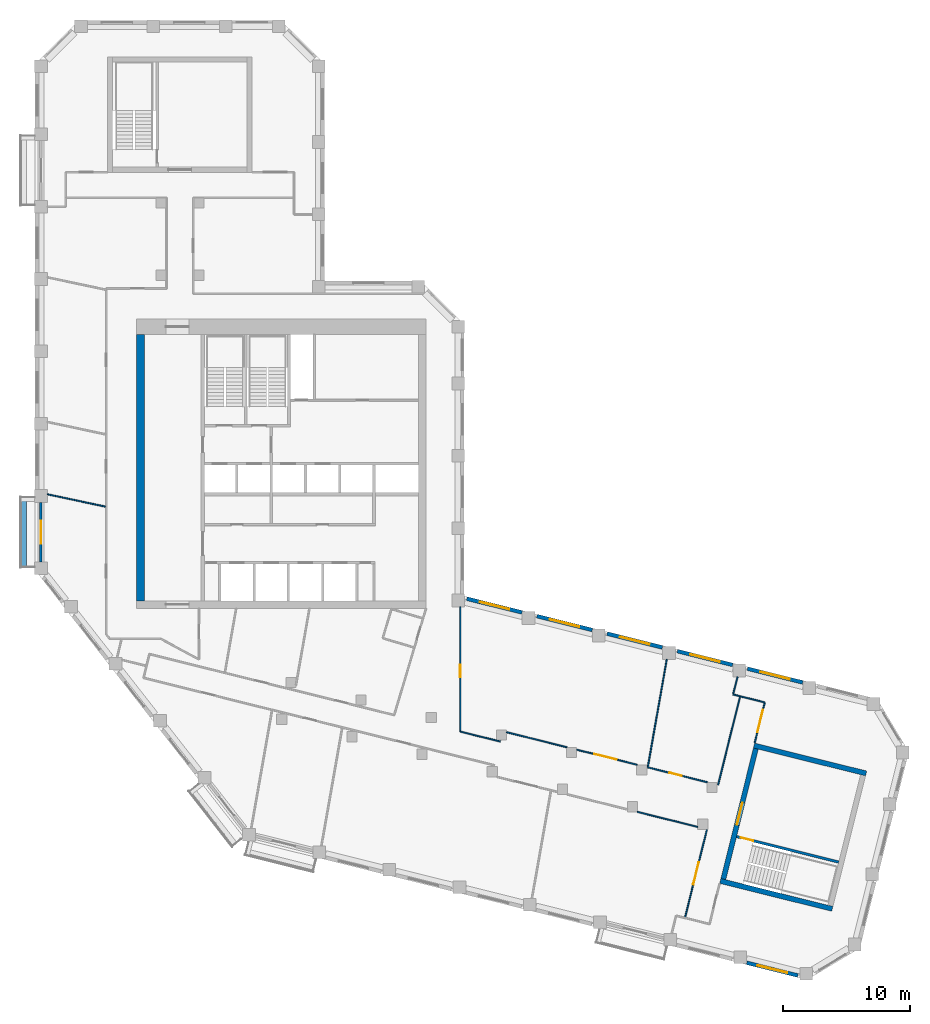
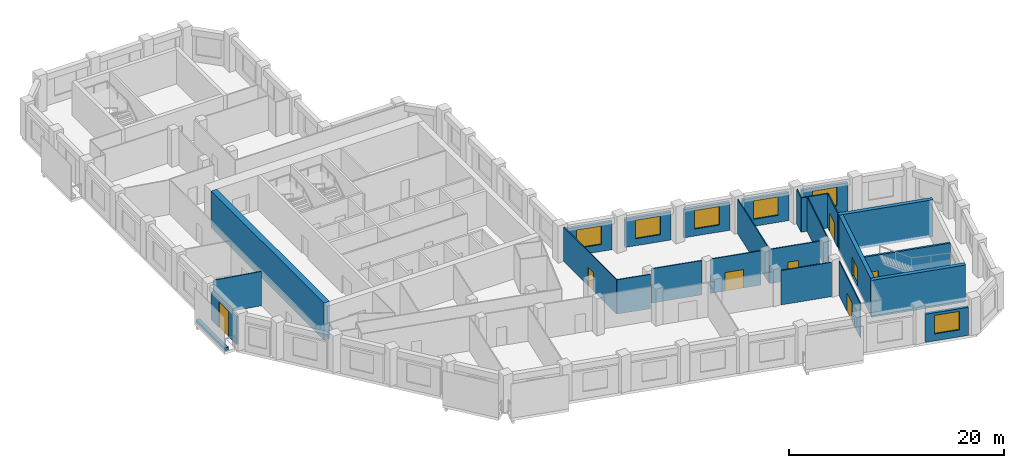
# One storey, part 4 of 9: 27 walls, 8 doors, 6 windows, 14 openings.
"""IFC4 building model written with IfcOpenShell, lengths in metres."""

from ifc_helpers import new_model, si_unit, direction, frame, frame_2d, origin, place, context, subcontext, project, spatial, rectangle, extrude, material, layer, layer_set, type_object, element, fill, save


model = new_model("IFC4")

# Units and contexts
model_context = context("Model", 3, precision=1e-05, world=origin(), true_north=direction((0.0, 1.0)))
body_context = subcontext(model_context, "Body", "Model", "MODEL_VIEW")
ifc_project = project(units=[si_unit("LENGTHUNIT", "METRE"), si_unit("AREAUNIT", "SQUARE_METRE"), si_unit("VOLUMEUNIT", "CUBIC_METRE"), si_unit("PLANEANGLEUNIT", "RADIAN"), si_unit("MASSUNIT", "GRAM", prefix="KILO")], contexts=[model_context])

# Site, building, storey
site_placement = place(None, origin())
site = spatial("IfcSite", under=ifc_project, at=site_placement, CompositionType="ELEMENT")
building_placement = place(site_placement, origin())
building = spatial("IfcBuilding", under=site, at=building_placement, Name="Meshkara Civic Tower", CompositionType="ELEMENT")
storey_placement = place(building_placement, frame((0.0, 0.0, 298.199951171875)))
storey = spatial("IfcBuildingStorey", under=building, at=storey_placement, Name="L68", CompositionType="ELEMENT", Elevation=298.199951171875)

# Wall
ifc_material_1 = material(Name="Concrete C60", Category="concrete")
ifc_layer_1 = layer(ifc_material_1, 0.60009765625)
ifc_layer_set_1 = layer_set([ifc_layer_1], Name="Core ring wall 600 C60")
wall_type_1 = type_object("IfcWallType", Name="Core ring wall 600 C60", PredefinedType="SHEAR", material=ifc_layer_set_1)
wall_1_placement = place(storey_placement, frame((8.300048828125, 14.699951171875, -0.300048828125), z_axis=(0.0, 0.0, 1.0), x_axis=(0.0, 1.0, 0.0)))
element("IfcWall", 1, at=wall_1_placement, inside=storey, type_object=wall_type_1, Name="L68-C003", PredefinedType="SHEAR", context=body_context, shape_type="SweptSolid", body=[
    extrude(rectangle(XDim=21.0, YDim=0.60009765625, at=frame_2d((10.5, 0.0))), origin(), (0.0, 0.0, 1.0), 4.2001953125),
])

# Wall, opening, door
ifc_material_2 = material(Name="Corridor wall 100")
ifc_layer_2 = layer(ifc_material_2, 0.10009765625)
ifc_layer_set_2 = layer_set([ifc_layer_2], Name="Corridor wall 100")
wall_type_2 = type_object("IfcWallType", Name="Corridor wall 100", PredefinedType="PARTITIONING", material=ifc_layer_set_2)
wall_2_placement = place(storey_placement, frame((33.5, 4.39111328125, 0.0), z_axis=(0.0, 0.0, 1.0), x_axis=(0.0, 1.0, 0.0)))
wall_2 = element("IfcWall", 2, at=wall_2_placement, inside=storey, type_object=wall_type_2, Name="L68-W020", PredefinedType="PARTITIONING", context=body_context, shape_type="SweptSolid", body=[
    extrude(rectangle(XDim=9.827880859375, YDim=0.10009765625, at=frame_2d((4.9140625, 0.0))), origin(), (0.0, 0.0, 1.0), 3.900146484375),
])
opening_1_placement = place(wall_2_placement, frame((4.280029296875, 0.0, 0.0)))
opening_1 = element("IfcOpeningElement", 3, at=opening_1_placement, cuts=wall_2, Name="Opening L68-D012", PredefinedType="OPENING", context=body_context, shape_type="SweptSolid", body=[
    extrude(rectangle(XDim=1.0, YDim=2.10009765625, at=frame_2d((0.5, 1.050048828125))), frame((0.0, 0.06005859375, 0.0), z_axis=(0.0, -1.0, 0.0), x_axis=(1.0, 0.0, 0.0)), (0.0, 0.0, 1.0), 0.1201171875),
])
ifc_material_3 = material(Name="Door 1000 x 2100")
door_type_1 = type_object("IfcDoorType", Name="Door 1000 x 2100", OperationType="SINGLE_SWING_LEFT", PredefinedType="DOOR", material=ifc_material_3)
door_1_placement = place(opening_1_placement, origin())
door_1 = element("IfcDoor", 4, at=door_1_placement, inside=storey, type_object=door_type_1, Name="L68-D012", OperationType="SINGLE_SWING_RIGHT", OverallHeight=2.10009765625, OverallWidth=1.0, PredefinedType="DOOR", context=body_context, shape_type="SweptSolid", body=[
    extrude(rectangle(XDim=1.0, YDim=2.10009765625, at=frame_2d((0.5, 1.050048828125))), frame((0.0, 0.02490234375, 0.0), z_axis=(0.0, -1.0, 0.0), x_axis=(1.0, 0.0, 0.0)), (0.0, 0.0, 1.0), 0.050048828125),
])
fill(opening_1, door_1)

# Walls
wall_3_placement = place(storey_placement, frame((36.656005859375, 3.60400390625, 0.0), z_axis=(0.0, 0.0, 1.0), x_axis=(-0.970279216762, 0.241988102022, 0.0)))
element("IfcWall", 5, at=wall_3_placement, inside=storey, type_object=wall_type_2, Name="L68-W022", PredefinedType="PARTITIONING", context=body_context, shape_type="SweptSolid", body=[
    extrude(rectangle(XDim=3.252685546875, YDim=0.10009765625, at=frame_2d((1.62646484375, 0.0))), origin(), (0.0, 0.0, 1.0), 3.900146484375),
])
wall_4_placement = place(storey_placement, frame((41.908935546875, 3.155029296875, 0.0), z_axis=(0.0, 0.0, 1.0), x_axis=(-0.970320559999, 0.241822271189, 0.0)))
element("IfcWall", 6, at=wall_4_placement, inside=storey, type_object=wall_type_2, Name="L68-W024", PredefinedType="PARTITIONING", context=body_context, shape_type="SweptSolid", body=[
    extrude(rectangle(XDim=4.91259765625, YDim=0.10009765625, at=frame_2d((2.456298828125, 0.0))), origin(), (0.0, 0.0, 1.0), 3.900146484375),
])
wall_5_placement = place(storey_placement, frame((47.444091796875, -1.93505859375, 0.0), z_axis=(0.0, 0.0, 1.0), x_axis=(0.970285656006, -0.241962281665, 0.0)))
element("IfcWall", 7, at=wall_5_placement, inside=storey, type_object=wall_type_2, Name="L68-W025", PredefinedType="PARTITIONING", context=body_context, shape_type="SweptSolid", body=[
    extrude(rectangle(XDim=4.909912109375, YDim=0.10009765625, at=frame_2d((2.455078125, 0.0))), origin(), (0.0, 0.0, 1.0), 3.900146484375),
])

# Wall, opening, door
wall_6_placement = place(storey_placement, frame((47.44189453125, 1.77587890625, 0.0), z_axis=(0.0, 0.0, 1.0), x_axis=(-0.970297139117, 0.241916228932, 0.0)))
wall_6 = element("IfcWall", 8, at=wall_6_placement, inside=storey, type_object=wall_type_2, Name="L68-W026", PredefinedType="PARTITIONING", context=body_context, shape_type="SweptSolid", body=[
    extrude(rectangle(XDim=4.915771484375, YDim=0.10009765625, at=frame_2d((2.4580078125, 0.0))), origin(), (0.0, 0.0, 1.0), 3.900146484375),
])
opening_2_placement = place(wall_6_placement, frame((1.679931640625, 0.0, 0.0)))
opening_2 = element("IfcOpeningElement", 9, at=opening_2_placement, cuts=wall_6, Name="Opening L68-D006", PredefinedType="OPENING", context=body_context, shape_type="SweptSolid", body=[
    extrude(rectangle(XDim=1.800048828125, YDim=2.10009765625, at=frame_2d((0.89990234375, 1.050048828125))), frame((0.0, 0.06005859375, 0.0), z_axis=(0.0, -1.0, 0.0), x_axis=(1.0, 0.0, 0.0)), (0.0, 0.0, 1.0), 0.1201171875),
])
ifc_material_4 = material(Name="Door pair 1800 x 2100")
door_type_2 = type_object("IfcDoorType", Name="Door pair 1800 x 2100", OperationType="SINGLE_SWING_LEFT", PredefinedType="DOOR", material=ifc_material_4)
door_2_placement = place(opening_2_placement, origin())
door_2 = element("IfcDoor", 10, at=door_2_placement, inside=storey, type_object=door_type_2, Name="L68-D006", OperationType="DOUBLE_DOOR_SINGLE_SWING", OverallHeight=2.10009765625, OverallWidth=1.800048828125, PredefinedType="DOOR", context=body_context, shape_type="SweptSolid", body=[
    extrude(rectangle(XDim=1.800048828125, YDim=2.10009765625, at=frame_2d((0.89990234375, 1.050048828125))), frame((0.0, 0.02490234375, 0.0), z_axis=(0.0, -1.0, 0.0), x_axis=(1.0, 0.0, 0.0)), (0.0, 0.0, 1.0), 0.050048828125),
])
fill(opening_2, door_2)

wall_7_placement = place(storey_placement, frame((52.94091796875, -3.31396484375, 0.0), z_axis=(0.0, 0.0, 1.0), x_axis=(-0.241944492524, -0.97029009195, 0.0)))
wall_7 = element("IfcWall", 11, at=wall_7_placement, inside=storey, type_object=wall_type_2, Name="L68-W028", PredefinedType="PARTITIONING", context=body_context, shape_type="SweptSolid", body=[
    extrude(rectangle(XDim=7.191650390625, YDim=0.10009765625, at=frame_2d((3.595703125, 0.0))), origin(), (0.0, 0.0, 1.0), 3.900146484375),
])
opening_3_placement = place(wall_7_placement, frame((2.679931640625, 0.0, 0.0)))
opening_3 = element("IfcOpeningElement", 12, at=opening_3_placement, cuts=wall_7, Name="Opening L68-D001", PredefinedType="OPENING", context=body_context, shape_type="SweptSolid", body=[
    extrude(rectangle(XDim=1.800048828125, YDim=2.10009765625, at=frame_2d((0.89990234375, 1.050048828125))), frame((0.0, 0.06005859375, 0.0), z_axis=(0.0, -1.0, 0.0), x_axis=(1.0, 0.0, 0.0)), (0.0, 0.0, 1.0), 0.1201171875),
])
door_3_placement = place(opening_3_placement, origin())
door_3 = element("IfcDoor", 13, at=door_3_placement, inside=storey, type_object=door_type_2, Name="L68-D001", OperationType="DOUBLE_DOOR_SINGLE_SWING", OverallHeight=2.10009765625, OverallWidth=1.800048828125, PredefinedType="DOOR", context=body_context, shape_type="SweptSolid", body=[
    extrude(rectangle(XDim=1.800048828125, YDim=2.10009765625, at=frame_2d((0.89990234375, 1.050048828125))), frame((0.0, 0.02490234375, 0.0), z_axis=(0.0, -1.0, 0.0), x_axis=(1.0, 0.0, 0.0)), (0.0, 0.0, 1.0), 0.050048828125),
])
fill(opening_3, door_3)

wall_8_placement = place(storey_placement, frame((52.971923828125, 0.39697265625, 0.0), z_axis=(0.0, 0.0, 1.0), x_axis=(-0.970281685696, 0.241978202329, 0.0)))
wall_8 = element("IfcWall", 14, at=wall_8_placement, inside=storey, type_object=wall_type_2, Name="L68-W029", PredefinedType="PARTITIONING", context=body_context, shape_type="SweptSolid", body=[
    extrude(rectangle(XDim=4.843994140625, YDim=0.10009765625, at=frame_2d((2.421875, 0.0))), origin(), (0.0, 0.0, 1.0), 3.900146484375),
])
opening_4_placement = place(wall_8_placement, frame((2.080078125, 0.0, 0.0)))
opening_4 = element("IfcOpeningElement", 15, at=opening_4_placement, cuts=wall_8, Name="Opening L68-D007", PredefinedType="OPENING", context=body_context, shape_type="SweptSolid", body=[
    extrude(rectangle(XDim=1.0, YDim=2.10009765625, at=frame_2d((0.5, 1.050048828125))), frame((0.0, 0.06005859375, 0.0), z_axis=(0.0, -1.0, 0.0), x_axis=(1.0, 0.0, 0.0)), (0.0, 0.0, 1.0), 0.1201171875),
])
door_4_placement = place(opening_4_placement, origin())
door_4 = element("IfcDoor", 16, at=door_4_placement, inside=storey, type_object=door_type_1, Name="L68-D007", OperationType="SINGLE_SWING_LEFT", OverallHeight=2.10009765625, OverallWidth=1.0, PredefinedType="DOOR", context=body_context, shape_type="SweptSolid", body=[
    extrude(rectangle(XDim=1.0, YDim=2.10009765625, at=frame_2d((0.5, 1.050048828125))), frame((0.0, 0.02490234375, 0.0), z_axis=(0.0, -1.0, 0.0), x_axis=(1.0, 0.0, 0.0)), (0.0, 0.0, 1.0), 0.050048828125),
])
fill(opening_4, door_4)

# Wall
wall_9_placement = place(storey_placement, frame((55.555908203125, 7.173095703125, 0.0), z_axis=(0.0, 0.0, 1.0), x_axis=(-0.241937193493, -0.970291911955, 0.0)))
element("IfcWall", 17, at=wall_9_placement, inside=storey, type_object=wall_type_2, Name="L68-W031", PredefinedType="PARTITIONING", context=body_context, shape_type="SweptSolid", body=[
    extrude(rectangle(XDim=7.199951171875, YDim=0.10009765625, at=frame_2d((3.60009765625, 0.0))), origin(), (0.0, 0.0, 1.0), 3.900146484375),
])

# Wall, opening, door
wall_10_placement = place(storey_placement, frame((56.697998046875, 3.487060546875, 0.0), z_axis=(0.0, 0.0, 1.0), x_axis=(0.241856645367, 0.970311992656, 0.0)))
wall_10 = element("IfcWall", 18, at=wall_10_placement, inside=storey, type_object=wall_type_2, Name="L68-W032", PredefinedType="PARTITIONING", context=body_context, shape_type="SweptSolid", body=[
    extrude(rectangle(XDim=3.2998046875, YDim=0.10009765625, at=frame_2d((1.64990234375, 0.0))), origin(), (0.0, 0.0, 1.0), 3.900146484375),
])
opening_5_placement = place(wall_10_placement, frame((0.8798828125, 0.0, 0.0)))
opening_5 = element("IfcOpeningElement", 19, at=opening_5_placement, cuts=wall_10, Name="Opening L68-D008", PredefinedType="OPENING", context=body_context, shape_type="SweptSolid", body=[
    extrude(rectangle(XDim=1.800048828125, YDim=2.10009765625, at=frame_2d((0.89990234375, 1.050048828125))), frame((0.0, 0.06005859375, 0.0), z_axis=(0.0, -1.0, 0.0), x_axis=(1.0, 0.0, 0.0)), (0.0, 0.0, 1.0), 0.1201171875),
])
door_5_placement = place(opening_5_placement, origin())
door_5 = element("IfcDoor", 20, at=door_5_placement, inside=storey, type_object=door_type_2, Name="L68-D008", OperationType="DOUBLE_DOOR_SINGLE_SWING", OverallHeight=2.10009765625, OverallWidth=1.800048828125, PredefinedType="DOOR", context=body_context, shape_type="SweptSolid", body=[
    extrude(rectangle(XDim=1.800048828125, YDim=2.10009765625, at=frame_2d((0.89990234375, 1.050048828125))), frame((0.0, 0.02490234375, 0.0), z_axis=(0.0, -1.0, 0.0), x_axis=(1.0, 0.0, 0.0)), (0.0, 0.0, 1.0), 0.050048828125),
])
fill(opening_5, door_5)

# Wall
wall_11_placement = place(storey_placement, frame((57.49609375, 6.68896484375, 0.0), z_axis=(0.0, 0.0, 1.0), x_axis=(-0.970250131019, 0.242104694829, 0.0)))
element("IfcWall", 21, at=wall_11_placement, inside=storey, type_object=wall_type_2, Name="L68-W033", PredefinedType="PARTITIONING", context=body_context, shape_type="SweptSolid", body=[
    extrude(rectangle(XDim=1.999755859375, YDim=0.10009765625, at=frame_2d((1.0, 0.0))), origin(), (0.0, 0.0, 1.0), 3.900146484375),
])

# Wall, opening, window
ifc_material_5 = material(Name="Insulated infill panel with bronze anodised aluminium cladding", Category="aluminium")
ifc_layer_3 = layer(ifc_material_5, 0.300048828125)
ifc_layer_set_3 = layer_set([ifc_layer_3], Name="EXTERNAL INFILL WALL 300")
wall_type_3 = type_object("IfcWallType", Name="EXTERNAL INFILL WALL 300", PredefinedType="SOLIDWALL", material=ifc_layer_set_3)
wall_12_placement = place(storey_placement, frame((60.488037109375, 8.261962890625, 0.0), z_axis=(0.0, 0.0, 1.0), x_axis=(-0.970276766004, 0.241997928406, 0.0)))
wall_12 = element("IfcWall", 22, at=wall_12_placement, inside=storey, type_object=wall_type_3, Name="External wall", PredefinedType="SOLIDWALL", context=body_context, shape_type="SweptSolid", body=[
    extrude(rectangle(XDim=4.4873046875, YDim=0.300048828125, at=frame_2d((2.24365234375, 0.0))), origin(), (0.0, 0.0, 1.0), 3.199951171875),
])
opening_6_placement = place(wall_12_placement, frame((1.0439453125, 0.0, 0.800048828125)))
opening_6 = element("IfcOpeningElement", 23, at=opening_6_placement, cuts=wall_12, Name="Opening W7", PredefinedType="OPENING", context=body_context, shape_type="SweptSolid", body=[
    extrude(rectangle(XDim=2.39990234375, YDim=2.10009765625, at=frame_2d((1.199951171875, 1.050048828125))), frame((0.0, 0.159912109375, 0.0), z_axis=(0.0, -1.0, 0.0), x_axis=(1.0, 0.0, 0.0)), (0.0, 0.0, 1.0), 0.320068359375),
])
ifc_material_6 = material(Name="Tinted double glazing", Category="glass")
window_type = type_object("IfcWindowType", Name="WINDOW 2400x2100", PartitioningType="DOUBLE_PANEL_VERTICAL", PredefinedType="WINDOW", material=ifc_material_6)
window_1_placement = place(opening_6_placement, origin())
window_1 = element("IfcWindow", 24, at=window_1_placement, inside=storey, type_object=window_type, Name="Window", OverallHeight=2.10009765625, OverallWidth=2.39990234375, PartitioningType="DOUBLE_PANEL_VERTICAL", PredefinedType="WINDOW", context=body_context, shape_type="SweptSolid", body=[
    extrude(rectangle(XDim=2.39990234375, YDim=2.10009765625, at=frame_2d((1.199951171875, 1.050048828125))), frame((0.0, 0.030029296875, 0.0), z_axis=(0.0, -1.0, 0.0), x_axis=(1.0, 0.0, 0.0)), (0.0, 0.0, 1.0), 0.06005859375),
])
fill(opening_6, window_1)

wall_13_placement = place(storey_placement, frame((54.9580078125, 9.64111328125, 0.0), z_axis=(0.0, 0.0, 1.0), x_axis=(-0.970289506684, 0.241946839653, 0.0)))
wall_13 = element("IfcWall", 25, at=wall_13_placement, inside=storey, type_object=wall_type_3, Name="External wall", PredefinedType="SOLIDWALL", context=body_context, shape_type="SweptSolid", body=[
    extrude(rectangle(XDim=4.48828125, YDim=0.300048828125, at=frame_2d((2.244140625, 0.0))), origin(), (0.0, 0.0, 1.0), 3.199951171875),
])
opening_7_placement = place(wall_13_placement, frame((1.0439453125, 0.0, 0.800048828125)))
opening_7 = element("IfcOpeningElement", 26, at=opening_7_placement, cuts=wall_13, Name="Opening W7", PredefinedType="OPENING", context=body_context, shape_type="SweptSolid", body=[
    extrude(rectangle(XDim=2.39990234375, YDim=2.10009765625, at=frame_2d((1.199951171875, 1.050048828125))), frame((0.0, 0.159912109375, 0.0), z_axis=(0.0, -1.0, 0.0), x_axis=(1.0, 0.0, 0.0)), (0.0, 0.0, 1.0), 0.320068359375),
])
window_2_placement = place(opening_7_placement, origin())
window_2 = element("IfcWindow", 27, at=window_2_placement, inside=storey, type_object=window_type, Name="Window", OverallHeight=2.10009765625, OverallWidth=2.39990234375, PartitioningType="DOUBLE_PANEL_VERTICAL", PredefinedType="WINDOW", context=body_context, shape_type="SweptSolid", body=[
    extrude(rectangle(XDim=2.39990234375, YDim=2.10009765625, at=frame_2d((1.199951171875, 1.050048828125))), frame((0.0, 0.030029296875, 0.0), z_axis=(0.0, -1.0, 0.0), x_axis=(1.0, 0.0, 0.0)), (0.0, 0.0, 1.0), 0.06005859375),
])
fill(opening_7, window_2)

wall_14_placement = place(storey_placement, frame((49.427001953125, 11.02001953125, 0.0), z_axis=(0.0, 0.0, 1.0), x_axis=(-0.970289506684, 0.241946839653, 0.0)))
wall_14 = element("IfcWall", 28, at=wall_14_placement, inside=storey, type_object=wall_type_3, Name="External wall", PredefinedType="SOLIDWALL", context=body_context, shape_type="SweptSolid", body=[
    extrude(rectangle(XDim=4.48828125, YDim=0.300048828125, at=frame_2d((2.244140625, 0.0))), origin(), (0.0, 0.0, 1.0), 3.199951171875),
])
opening_8_placement = place(wall_14_placement, frame((1.0439453125, 0.0, 0.800048828125)))
opening_8 = element("IfcOpeningElement", 29, at=opening_8_placement, cuts=wall_14, Name="Opening W7", PredefinedType="OPENING", context=body_context, shape_type="SweptSolid", body=[
    extrude(rectangle(XDim=2.39990234375, YDim=2.10009765625, at=frame_2d((1.199951171875, 1.050048828125))), frame((0.0, 0.159912109375, 0.0), z_axis=(0.0, -1.0, 0.0), x_axis=(1.0, 0.0, 0.0)), (0.0, 0.0, 1.0), 0.320068359375),
])
window_3_placement = place(opening_8_placement, origin())
window_3 = element("IfcWindow", 30, at=window_3_placement, inside=storey, type_object=window_type, Name="Window", OverallHeight=2.10009765625, OverallWidth=2.39990234375, PartitioningType="DOUBLE_PANEL_VERTICAL", PredefinedType="WINDOW", context=body_context, shape_type="SweptSolid", body=[
    extrude(rectangle(XDim=2.39990234375, YDim=2.10009765625, at=frame_2d((1.199951171875, 1.050048828125))), frame((0.0, 0.030029296875, 0.0), z_axis=(0.0, -1.0, 0.0), x_axis=(1.0, 0.0, 0.0)), (0.0, 0.0, 1.0), 0.06005859375),
])
fill(opening_8, window_3)

wall_15_placement = place(storey_placement, frame((43.89599609375, 12.39892578125, 0.0), z_axis=(0.0, 0.0, 1.0), x_axis=(-0.970263990019, 0.242049147224, 0.0)))
wall_15 = element("IfcWall", 31, at=wall_15_placement, inside=storey, type_object=wall_type_3, Name="External wall", PredefinedType="SOLIDWALL", context=body_context, shape_type="SweptSolid", body=[
    extrude(rectangle(XDim=4.487548828125, YDim=0.300048828125, at=frame_2d((2.24365234375, 0.0))), origin(), (0.0, 0.0, 1.0), 3.199951171875),
])
opening_9_placement = place(wall_15_placement, frame((1.0439453125, 0.0, 0.800048828125)))
opening_9 = element("IfcOpeningElement", 32, at=opening_9_placement, cuts=wall_15, Name="Opening W7", PredefinedType="OPENING", context=body_context, shape_type="SweptSolid", body=[
    extrude(rectangle(XDim=2.39990234375, YDim=2.10009765625, at=frame_2d((1.199951171875, 1.050048828125))), frame((0.0, 0.159912109375, 0.0), z_axis=(0.0, -1.0, 0.0), x_axis=(1.0, 0.0, 0.0)), (0.0, 0.0, 1.0), 0.320068359375),
])
window_4_placement = place(opening_9_placement, origin())
window_4 = element("IfcWindow", 33, at=window_4_placement, inside=storey, type_object=window_type, Name="Window", OverallHeight=2.10009765625, OverallWidth=2.39990234375, PartitioningType="DOUBLE_PANEL_VERTICAL", PredefinedType="WINDOW", context=body_context, shape_type="SweptSolid", body=[
    extrude(rectangle(XDim=2.39990234375, YDim=2.10009765625, at=frame_2d((1.199951171875, 1.050048828125))), frame((0.0, 0.030029296875, 0.0), z_axis=(0.0, -1.0, 0.0), x_axis=(1.0, 0.0, 0.0)), (0.0, 0.0, 1.0), 0.06005859375),
])
fill(opening_9, window_4)

wall_16_placement = place(storey_placement, frame((38.365966796875, 13.778076171875, 0.0), z_axis=(0.0, 0.0, 1.0), x_axis=(-0.970289506684, 0.241946839653, 0.0)))
wall_16 = element("IfcWall", 34, at=wall_16_placement, inside=storey, type_object=wall_type_3, Name="External wall", PredefinedType="SOLIDWALL", context=body_context, shape_type="SweptSolid", body=[
    extrude(rectangle(XDim=4.48828125, YDim=0.300048828125, at=frame_2d((2.244140625, 0.0))), origin(), (0.0, 0.0, 1.0), 3.199951171875),
])
opening_10_placement = place(wall_16_placement, frame((1.0439453125, 0.0, 0.800048828125)))
opening_10 = element("IfcOpeningElement", 35, at=opening_10_placement, cuts=wall_16, Name="Opening W7", PredefinedType="OPENING", context=body_context, shape_type="SweptSolid", body=[
    extrude(rectangle(XDim=2.39990234375, YDim=2.10009765625, at=frame_2d((1.199951171875, 1.050048828125))), frame((0.0, 0.159912109375, 0.0), z_axis=(0.0, -1.0, 0.0), x_axis=(1.0, 0.0, 0.0)), (0.0, 0.0, 1.0), 0.320068359375),
])
window_5_placement = place(opening_10_placement, origin())
window_5 = element("IfcWindow", 36, at=window_5_placement, inside=storey, type_object=window_type, Name="Window", OverallHeight=2.10009765625, OverallWidth=2.39990234375, PartitioningType="DOUBLE_PANEL_VERTICAL", PredefinedType="WINDOW", context=body_context, shape_type="SweptSolid", body=[
    extrude(rectangle(XDim=2.39990234375, YDim=2.10009765625, at=frame_2d((1.199951171875, 1.050048828125))), frame((0.0, 0.030029296875, 0.0), z_axis=(0.0, -1.0, 0.0), x_axis=(1.0, 0.0, 0.0)), (0.0, 0.0, 1.0), 0.06005859375),
])
fill(opening_10, window_5)

wall_17_placement = place(storey_placement, frame((56.0810546875, -13.827880859375, 0.0), z_axis=(0.0, 0.0, 1.0), x_axis=(0.970246294139, -0.242120070853, 0.0)))
wall_17 = element("IfcWall", 37, at=wall_17_placement, inside=storey, type_object=wall_type_3, Name="External wall", PredefinedType="SOLIDWALL", context=body_context, shape_type="SweptSolid", body=[
    extrude(rectangle(XDim=4.147216796875, YDim=0.300048828125, at=frame_2d((2.07373046875, 0.0))), origin(), (0.0, 0.0, 1.0), 3.199951171875),
])
opening_11_placement = place(wall_17_placement, frame((0.8740234375, 0.0, 0.800048828125)))
opening_11 = element("IfcOpeningElement", 38, at=opening_11_placement, cuts=wall_17, Name="Opening W7", PredefinedType="OPENING", context=body_context, shape_type="SweptSolid", body=[
    extrude(rectangle(XDim=2.39990234375, YDim=2.10009765625, at=frame_2d((1.199951171875, 1.050048828125))), frame((0.0, 0.159912109375, 0.0), z_axis=(0.0, -1.0, 0.0), x_axis=(1.0, 0.0, 0.0)), (0.0, 0.0, 1.0), 0.320068359375),
])
window_6_placement = place(opening_11_placement, origin())
window_6 = element("IfcWindow", 39, at=window_6_placement, inside=storey, type_object=window_type, Name="Window", OverallHeight=2.10009765625, OverallWidth=2.39990234375, PartitioningType="DOUBLE_PANEL_VERTICAL", PredefinedType="WINDOW", context=body_context, shape_type="SweptSolid", body=[
    extrude(rectangle(XDim=2.39990234375, YDim=2.10009765625, at=frame_2d((1.199951171875, 1.050048828125))), frame((0.0, 0.030029296875, 0.0), z_axis=(0.0, -1.0, 0.0), x_axis=(1.0, 0.0, 0.0)), (0.0, 0.0, 1.0), 0.06005859375),
])
fill(opening_11, window_6)

# Walls
ifc_material_7 = material(Name="Concrete C60", Category="concrete")
ifc_layer_4 = layer(ifc_material_7, 0.39990234375)
ifc_layer_set_4 = layer_set([ifc_layer_4], Name="End core ring wall 400 C60")
wall_type_4 = type_object("IfcWallType", Name="End core ring wall 400 C60", PredefinedType="SHEAR", material=ifc_layer_set_4)
wall_18_placement = place(storey_placement, frame((53.988037109375, -7.3798828125, -0.300048828125), z_axis=(0.0, 0.0, 1.0), x_axis=(0.970281210621, -0.241980107272, 0.0)))
element("IfcWall", 40, at=wall_18_placement, inside=storey, type_object=wall_type_4, Name="L68-C031", PredefinedType="SHEAR", context=body_context, shape_type="SweptSolid", body=[
    extrude(rectangle(XDim=9.1005859375, YDim=0.39990234375, at=frame_2d((4.55029296875, 0.0))), origin(), (0.0, 0.0, 1.0), 4.2001953125),
])
wall_19_placement = place(storey_placement, frame((56.64892578125, 3.29296875, -0.300048828125), z_axis=(0.0, 0.0, 1.0), x_axis=(0.970312696888, -0.241853820019, 0.0)))
element("IfcWall", 41, at=wall_19_placement, inside=storey, type_object=wall_type_4, Name="L68-C032", PredefinedType="SHEAR", context=body_context, shape_type="SweptSolid", body=[
    extrude(rectangle(XDim=9.100341796875, YDim=0.39990234375, at=frame_2d((4.55029296875, 0.0))), origin(), (0.0, 0.0, 1.0), 4.2001953125),
])

# Wall, opening, door
wall_20_placement = place(storey_placement, frame((54.23095703125, -7.23388671875, -0.300048828125), z_axis=(0.0, 0.0, 1.0), x_axis=(0.241890652548, 0.970303515509, 0.0)))
wall_20 = element("IfcWall", 42, at=wall_20_placement, inside=storey, type_object=wall_type_4, Name="L68-C033", PredefinedType="SHEAR", context=body_context, shape_type="SweptSolid", body=[
    extrude(rectangle(XDim=10.599609375, YDim=0.39990234375, at=frame_2d((5.2998046875, 0.0))), origin(), (0.0, 0.0, 1.0), 4.2001953125),
])
opening_12_placement = place(wall_20_placement, frame((4.39990234375, 0.0, 0.300048828125)))
opening_12 = element("IfcOpeningElement", 43, at=opening_12_placement, cuts=wall_20, Name="Opening L68-K202", PredefinedType="OPENING", context=body_context, shape_type="SweptSolid", body=[
    extrude(rectangle(XDim=1.800048828125, YDim=2.10009765625, at=frame_2d((0.89990234375, 1.050048828125))), frame((0.0, 0.2099609375, 0.0), z_axis=(0.0, -1.0, 0.0), x_axis=(1.0, 0.0, 0.0)), (0.0, 0.0, 1.0), 0.419921875),
])
ifc_material_8 = material(Name="Fire-rated door leaf in steel frame", Category="steel")
door_type_3 = type_object("IfcDoorType", Name="Core double door 1800 EI 60", OperationType="DOUBLE_DOOR_SINGLE_SWING", PredefinedType="DOOR", material=ifc_material_8)
door_6_placement = place(opening_12_placement, origin())
door_6 = element("IfcDoor", 44, at=door_6_placement, inside=storey, type_object=door_type_3, Name="L68-K202", OperationType="DOUBLE_DOOR_SINGLE_SWING", OverallHeight=2.10009765625, OverallWidth=1.800048828125, PredefinedType="DOOR", context=body_context, shape_type="SweptSolid", body=[
    extrude(rectangle(XDim=1.800048828125, YDim=2.10009765625, at=frame_2d((0.89990234375, 1.050048828125))), frame((0.0, 0.02490234375, 0.0), z_axis=(0.0, -1.0, 0.0), x_axis=(1.0, 0.0, 0.0)), (0.0, 0.0, 1.0), 0.050048828125),
])
fill(opening_12, door_6)

ifc_material_9 = material(Name="Insulated infill panel with bronze anodised aluminium cladding", Category="aluminium")
ifc_layer_5 = layer(ifc_material_9, 0.199951171875)
ifc_layer_set_5 = layer_set([ifc_layer_5], Name="LOGGIA BACK WALL 200")
wall_type_5 = type_object("IfcWallType", Name="LOGGIA BACK WALL 200", PredefinedType="SOLIDWALL", material=ifc_layer_set_5)
wall_21_placement = place(storey_placement, frame((0.449951171875, 22.4541015625, 0.0), z_axis=(0.0, 0.0, 1.0), x_axis=(0.0, -1.0, 0.0)))
wall_21 = element("IfcWall", 45, at=wall_21_placement, inside=storey, type_object=wall_type_5, Name="Loggia wall", PredefinedType="SOLIDWALL", context=body_context, shape_type="SweptSolid", body=[
    extrude(rectangle(XDim=4.69921875, YDim=0.199951171875, at=frame_2d((2.349609375, 0.0))), origin(), (0.0, 0.0, 1.0), 3.199951171875),
])
opening_13_placement = place(wall_21_placement, frame((1.449951171875, 0.0, 0.0)))
opening_13 = element("IfcOpeningElement", 46, at=opening_13_placement, cuts=wall_21, Name="Opening L68-L002", PredefinedType="OPENING", context=body_context, shape_type="SweptSolid", body=[
    extrude(rectangle(XDim=1.800048828125, YDim=2.89990234375, at=frame_2d((0.89990234375, 1.449951171875))), frame((0.0, 0.10986328125, 0.0), z_axis=(0.0, -1.0, 0.0), x_axis=(1.0, 0.0, 0.0)), (0.0, 0.0, 1.0), 0.219970703125),
])
ifc_material_10 = material(Name="Tinted double glazing", Category="glass")
door_type_4 = type_object("IfcDoorType", Name="LOGGIA DOOR 1800x2900", OperationType="DOUBLE_DOOR_SINGLE_SWING", PredefinedType="DOOR", material=ifc_material_10)
door_7_placement = place(opening_13_placement, origin())
door_7 = element("IfcDoor", 47, at=door_7_placement, inside=storey, type_object=door_type_4, Name="L68-L002", OperationType="DOUBLE_DOOR_SINGLE_SWING", OverallHeight=2.89990234375, OverallWidth=1.800048828125, PredefinedType="DOOR", context=body_context, shape_type="SweptSolid", body=[
    extrude(rectangle(XDim=1.800048828125, YDim=2.89990234375, at=frame_2d((0.89990234375, 1.449951171875))), frame((0.0, 0.02490234375, 0.0), z_axis=(0.0, -1.0, 0.0), x_axis=(1.0, 0.0, 0.0)), (0.0, 0.0, 1.0), 0.050048828125),
])
fill(opening_13, door_7)

# Walls
ifc_material_11 = material(Name="Concrete C40", Category="concrete")
ifc_layer_6 = layer(ifc_material_11, 0.39990234375)
ifc_layer_set_6 = layer_set([ifc_layer_6], Name="PLANTER TRAY")
wall_type_6 = type_object("IfcWallType", Name="PLANTER TRAY", PredefinedType="SOLIDWALL", material=ifc_layer_set_6)
wall_22_placement = place(storey_placement, frame((-0.8798828125, 22.784912109375, 0.0), z_axis=(0.0, 0.0, 1.0), x_axis=(0.0, -1.0, 0.0)))
element("IfcWall", 48, at=wall_22_placement, inside=storey, type_object=wall_type_6, Name="Planter", PredefinedType="SOLIDWALL", context=body_context, shape_type="SweptSolid", body=[
    extrude(rectangle(XDim=5.35986328125, YDim=0.39990234375, at=frame_2d((2.679931640625, 0.0))), origin(), (0.0, 0.0, 1.0), 0.300048828125),
])
ifc_material_12 = material(Name="Partition 100")
ifc_layer_7 = layer(ifc_material_12, 0.10009765625)
ifc_layer_set_7 = layer_set([ifc_layer_7], Name="Partition 100")
wall_type_7 = type_object("IfcWallType", Name="Partition 100", PredefinedType="PARTITIONING", material=ifc_layer_set_7)
wall_23_placement = place(storey_placement, frame((5.5400390625, 22.117919921875, 0.0), z_axis=(0.0, 0.0, 1.0), x_axis=(-0.978129355615, 0.207997508842, 0.0)))
element("IfcWall", 49, at=wall_23_placement, inside=storey, type_object=wall_type_7, Name="L68-W036", PredefinedType="PARTITIONING", context=body_context, shape_type="SweptSolid", body=[
    extrude(rectangle(XDim=4.692626953125, YDim=0.10009765625, at=frame_2d((2.34619140625, 0.0))), origin(), (0.0, 0.0, 1.0), 3.900146484375),
])
wall_24_placement = place(storey_placement, frame((48.27197265625, 1.569091796875, 0.0), z_axis=(0.0, 0.0, 1.0), x_axis=(0.173638714165, 0.984809421636, 0.0)))
element("IfcWall", 50, at=wall_24_placement, inside=storey, type_object=wall_type_7, Name="L68-W051", PredefinedType="PARTITIONING", context=body_context, shape_type="SweptSolid", body=[
    extrude(rectangle(XDim=8.644287109375, YDim=0.10009765625, at=frame_2d((4.322265625, 0.0))), origin(), (0.0, 0.0, 1.0), 3.900146484375),
])
wall_25_placement = place(storey_placement, frame((55.0009765625, 7.31103515625, 0.0), z_axis=(0.0, 0.0, 1.0), x_axis=(0.24185476373, 0.970312461664, 0.0)))
element("IfcWall", 51, at=wall_25_placement, inside=storey, type_object=wall_type_7, Name="L68-W054", PredefinedType="PARTITIONING", context=body_context, shape_type="SweptSolid", body=[
    extrude(rectangle(XDim=1.434326171875, YDim=0.10009765625, at=frame_2d((0.71728515625, 0.0))), origin(), (0.0, 0.0, 1.0), 3.900146484375),
])
wall_26_placement = place(storey_placement, frame((55.56005859375, 7.172119140625, 0.0), z_axis=(0.0, 0.0, 1.0), x_axis=(-0.970490503334, 0.241139343405, 0.0)))
element("IfcWall", 52, at=wall_26_placement, inside=storey, type_object=wall_type_7, Name="L68-W055", PredefinedType="PARTITIONING", context=body_context, shape_type="SweptSolid", body=[
    extrude(rectangle(XDim=0.576171875, YDim=0.10009765625, at=frame_2d((0.2880859375, 0.0))), origin(), (0.0, 0.0, 1.0), 3.900146484375),
])

# Wall, opening, door
ifc_material_13 = material(Name="Concrete C40/50", Category="concrete")
ifc_layer_8 = layer(ifc_material_13, 0.199951171875)
ifc_layer_set_8 = layer_set([ifc_layer_8], Name="Stair enclosure wall 200 C40/50")
wall_type_8 = type_object("IfcWallType", Name="Stair enclosure wall 200 C40/50", PredefinedType="SOLIDWALL", material=ifc_layer_set_8)
wall_27_placement = place(storey_placement, frame((55.27099609375, -3.886962890625, 0.0), z_axis=(0.0, 0.0, 1.0), x_axis=(0.970296288869, -0.241919639151, 0.0)))
wall_27 = element("IfcWall", 53, at=wall_27_placement, inside=storey, type_object=wall_type_8, Name="L68-C035", PredefinedType="SOLIDWALL", context=body_context, shape_type="SweptSolid", body=[
    extrude(rectangle(XDim=8.300537109375, YDim=0.199951171875, at=frame_2d((4.150390625, 0.0))), origin(), (0.0, 0.0, 1.0), 3.900146484375),
])
opening_14_placement = place(wall_27_placement, frame((0.35009765625, 0.0, 0.0)))
opening_14 = element("IfcOpeningElement", 54, at=opening_14_placement, cuts=wall_27, Name="Opening L68-K201", PredefinedType="OPENING", context=body_context, shape_type="SweptSolid", body=[
    extrude(rectangle(XDim=1.0, YDim=2.10009765625, at=frame_2d((0.5, 1.050048828125))), frame((0.0, 0.10986328125, 0.0), z_axis=(0.0, -1.0, 0.0), x_axis=(1.0, 0.0, 0.0)), (0.0, 0.0, 1.0), 0.219970703125),
])
ifc_material_14 = material(Name="Fire-rated door leaf in steel frame", Category="steel")
door_type_5 = type_object("IfcDoorType", Name="Stair door 1000 EI 120", OperationType="SINGLE_SWING_LEFT", PredefinedType="DOOR", material=ifc_material_14)
door_8_placement = place(opening_14_placement, origin())
door_8 = element("IfcDoor", 55, at=door_8_placement, inside=storey, type_object=door_type_5, Name="L68-K201", OperationType="SINGLE_SWING_LEFT", OverallHeight=2.10009765625, OverallWidth=1.0, PredefinedType="DOOR", context=body_context, shape_type="SweptSolid", body=[
    extrude(rectangle(XDim=1.0, YDim=2.10009765625, at=frame_2d((0.5, 1.050048828125))), frame((0.0, 0.02490234375, 0.0), z_axis=(0.0, -1.0, 0.0), x_axis=(1.0, 0.0, 0.0)), (0.0, 0.0, 1.0), 0.050048828125),
])
fill(opening_14, door_8)

save(model, "model.ifc")
